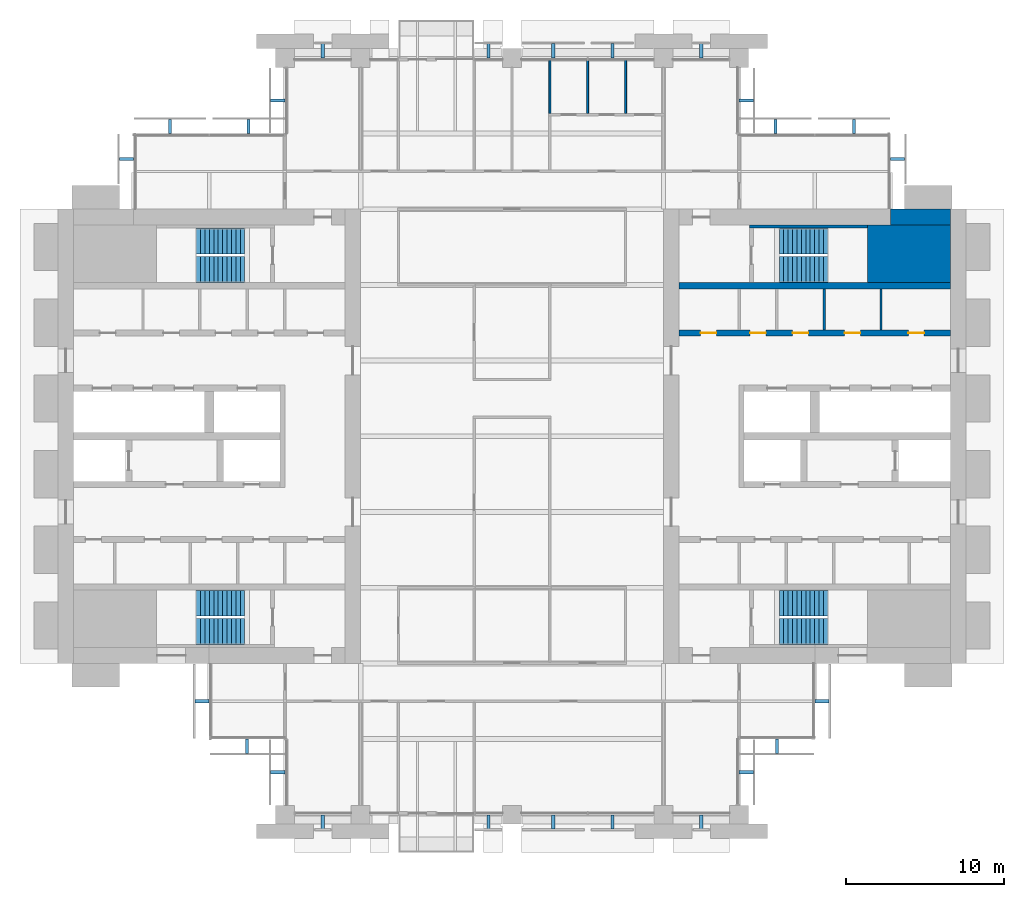
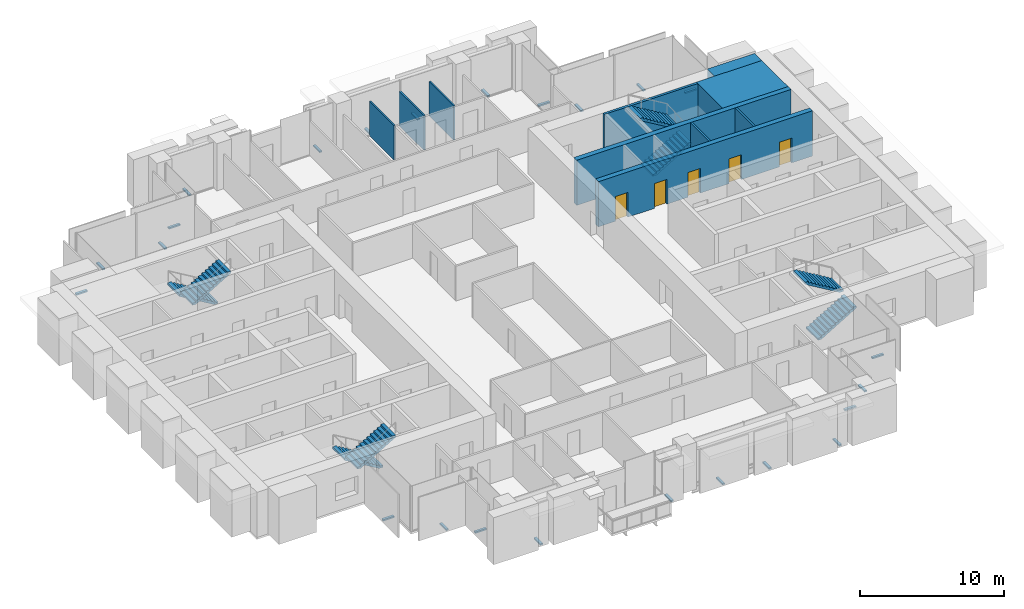
# One storey, part 13 of 15: 24 discrete accessories, 10 walls, 8 stair flights, 5 doors, 5 openings, 4 elements without a shape of their own.
"""IFC4 building model written with IfcOpenShell, lengths in metres."""

from ifc_helpers import new_model, si_unit, direction, frame, frame_2d, origin, origin_2d, place, context, subcontext, project, spatial, polyline, rectangle, outline, extrude, material, layer, layer_set, type_object, element, fill, aggregate, save


model = new_model("IFC4")

# Units and contexts
model_context = context("Model", 3, precision=1e-05, world=origin(), true_north=direction((0.0, 1.0)))
body_context = subcontext(model_context, "Body", "Model", "MODEL_VIEW")
ifc_project = project(units=[si_unit("LENGTHUNIT", "METRE"), si_unit("AREAUNIT", "SQUARE_METRE"), si_unit("VOLUMEUNIT", "CUBIC_METRE"), si_unit("PLANEANGLEUNIT", "RADIAN"), si_unit("MASSUNIT", "GRAM", prefix="KILO")], contexts=[model_context])

# Site, building, storey
site_placement = place(None, origin())
site = spatial("IfcSite", under=ifc_project, at=site_placement, CompositionType="ELEMENT")
building_placement = place(site_placement, origin())
building = spatial("IfcBuilding", under=site, at=building_placement, Name="Baori Bourse Tower", CompositionType="ELEMENT")
storey_placement = place(building_placement, frame((0.0, 0.0, 128.10009765625)))
storey = spatial("IfcBuildingStorey", under=building, at=storey_placement, Name="L27", CompositionType="ELEMENT", Elevation=128.10009765625)

# Walls
ifc_material_1 = material(Name="Concrete f'c 60 MPa", Category="concrete")
wall_type_1 = type_object("IfcWallType", Name="Core corner block f'c 60", PredefinedType="SHEAR", material=ifc_material_1)
wall_1_placement = place(storey_placement, frame((51.35009765625, 35.574951171875, 0.0), z_axis=(0.0, 0.0, 1.0), x_axis=(1.0, 0.0, 0.0)))
element("IfcWall", 1, at=wall_1_placement, inside=storey, type_object=wall_type_1, Name="Core wall E28", PredefinedType="SHEAR", context=body_context, shape_type="SweptSolid", body=[
    extrude(rectangle(XDim=5.25, YDim=3.64990234375, at=frame_2d((2.625, 0.0))), origin(), (0.0, 0.0, 1.0), 3.83984375),
])
ifc_material_2 = material(Name="Blockwork partition", Category="masonry")
ifc_layer_1 = layer(ifc_material_2, 0.14990234375)
ifc_layer_set_1 = layer_set([ifc_layer_1], Name="Core partition 150")
wall_type_2 = type_object("IfcWallType", Name="Core partition 150", PredefinedType="PARTITIONING", material=ifc_layer_set_1)
for number, where, z_axis, x_axis, name in (
    (2, (52.199951171875, 30.75, 0.0), (0.0, 0.0, 1.0), (0.0, 1.0, 0.0), "Partition wall E23"),
    (3, (48.60009765625, 30.75, 0.0), (0.0, 0.0, 1.0), (0.0, 1.0, 0.0), "Partition wall E24"),
):
    element("IfcWall", number, at=place(storey_placement, frame(where, z_axis=z_axis, x_axis=x_axis)), inside=storey, type_object=wall_type_2, Name=name, PredefinedType="PARTITIONING", context=body_context, shape_type="SweptSolid", body=[
        extrude(rectangle(XDim=2.60009765625, YDim=0.14990234375, at=frame_2d((1.300048828125, 0.0))), origin(), (0.0, 0.0, 1.0), 3.83984375),
    ])
ifc_material_3 = material(Name="Concrete f'c 60 MPa", Category="concrete")
ifc_layer_2 = layer(ifc_material_3, 1.0)
ifc_layer_set_2 = layer_set([ifc_layer_2], Name="Core wall 1000 f'c 60")
wall_type_3 = type_object("IfcWallType", Name="Core wall 1000 f'c 60", PredefinedType="SHEAR", material=ifc_layer_set_2)
wall_2_placement = place(storey_placement, frame((52.800048828125, 37.89990234375, 0.0), z_axis=(0.0, 0.0, 1.0), x_axis=(1.0, 0.0, 0.0)))
element("IfcWall", 4, at=wall_2_placement, inside=storey, type_object=wall_type_3, Name="Core wall E31", PredefinedType="SHEAR", context=body_context, shape_type="SweptSolid", body=[
    extrude(rectangle(XDim=3.800048828125, YDim=1.0, at=frame_2d((1.89990234375, 0.0))), origin(), (0.0, 0.0, 1.0), 3.83984375),
])
ifc_material_4 = material(Name="Gypsum board partition")
ifc_layer_3 = layer(ifc_material_4, 0.125)
ifc_layer_set_3 = layer_set([ifc_layer_3], Name="Partition 125")
wall_type_4 = type_object("IfcWallType", Name="Partition 125", PredefinedType="PARTITIONING", material=ifc_layer_set_3)
for number, where, z_axis, x_axis, name in (
    (5, (31.199951171875, 44.47509765625, 0.0), (0.0, 0.0, 1.0), (0.0, 1.0, 0.0), "Partition"),
    (6, (33.60009765625, 44.47509765625, 0.0), (0.0, 0.0, 1.0), (0.0, 1.0, 0.0), "Partition"),
    (7, (36.0, 44.47509765625, 0.0), (0.0, 0.0, 1.0), (0.0, 1.0, 0.0), "Partition"),
):
    element("IfcWall", number, at=place(storey_placement, frame(where, z_axis=z_axis, x_axis=x_axis)), inside=storey, type_object=wall_type_4, Name=name, PredefinedType="PARTITIONING", context=body_context, shape_type="SweptSolid", body=[
        extrude(rectangle(XDim=3.4248046875, YDim=0.125, at=frame_2d((1.71240234375, 0.0))), origin(), (0.0, 0.0, 1.0), 2.935546875),
    ])
ifc_material_5 = material(Name="Concrete f'c 60 MPa", Category="concrete")
ifc_layer_4 = layer(ifc_material_5, 0.199951171875)
ifc_layer_set_4 = layer_set([ifc_layer_4], Name="Shaft wall 200 f'c 60")
wall_type_5 = type_object("IfcWallType", Name="Shaft wall 200 f'c 60", PredefinedType="SHEAR", material=ifc_layer_set_4)
wall_3_placement = place(storey_placement, frame((43.85009765625, 37.300048828125, 0.0), z_axis=(0.0, 0.0, 1.0), x_axis=(1.0, 0.0, 0.0)))
element("IfcWall", 8, at=wall_3_placement, inside=storey, type_object=wall_type_5, Name="Core wall E30", PredefinedType="SHEAR", context=body_context, shape_type="SweptSolid", body=[
    extrude(rectangle(XDim=7.5, YDim=0.199951171875, at=frame_2d((3.75, 0.0))), origin(), (0.0, 0.0, 1.0), 3.83984375),
])

# Wall, openings, doors
ifc_material_6 = material(Name="Concrete f'c 60 MPa", Category="concrete")
ifc_layer_5 = layer(ifc_material_6, 0.39990234375)
ifc_layer_set_5 = layer_set([ifc_layer_5], Name="Shaft wall 400 f'c 60")
wall_type_6 = type_object("IfcWallType", Name="Shaft wall 400 f'c 60", PredefinedType="SHEAR", material=ifc_layer_set_5)
wall_4_placement = place(storey_placement, frame((39.39990234375, 30.550048828125, 0.0), z_axis=(0.0, 0.0, 1.0), x_axis=(1.0, 0.0, 0.0)))
wall_4 = element("IfcWall", 9, at=wall_4_placement, inside=storey, type_object=wall_type_6, Name="Core wall E22", PredefinedType="SHEAR", context=body_context, shape_type="SweptSolid", body=[
    extrude(rectangle(XDim=17.2001953125, YDim=0.39990234375, at=frame_2d((8.60009765625, 0.0))), origin(), (0.0, 0.0, 1.0), 3.83984375),
])
opening_1_placement = place(wall_4_placement, frame((14.53759765625, 0.0, 0.0)))
opening_1 = element("IfcOpeningElement", 10, at=opening_1_placement, cuts=wall_4, Name="Opening L27-D209", PredefinedType="OPENING", context=body_context, shape_type="SweptSolid", body=[
    extrude(rectangle(XDim=1.0, YDim=2.10009765625, at=frame_2d((0.5, 1.050048828125))), frame((0.0, 0.2099609375, 0.0), z_axis=(0.0, -1.0, 0.0), x_axis=(1.0, 0.0, 0.0)), (0.0, 0.0, 1.0), 0.419921875),
])
opening_2_placement = place(wall_4_placement, frame((10.5, 0.0, 0.0)))
opening_2 = element("IfcOpeningElement", 11, at=opening_2_placement, cuts=wall_4, Name="Opening L27-D210", PredefinedType="OPENING", context=body_context, shape_type="SweptSolid", body=[
    extrude(rectangle(XDim=1.0, YDim=2.10009765625, at=frame_2d((0.5, 1.050048828125))), frame((0.0, 0.2099609375, 0.0), z_axis=(0.0, -1.0, 0.0), x_axis=(1.0, 0.0, 0.0)), (0.0, 0.0, 1.0), 0.419921875),
])
opening_3_placement = place(wall_4_placement, frame((7.199951171875, 0.0, 0.0)))
opening_3 = element("IfcOpeningElement", 12, at=opening_3_placement, cuts=wall_4, Name="Opening L27-D211", PredefinedType="OPENING", context=body_context, shape_type="SweptSolid", body=[
    extrude(rectangle(XDim=1.0, YDim=2.10009765625, at=frame_2d((0.5, 1.050048828125))), frame((0.0, 0.2099609375, 0.0), z_axis=(0.0, -1.0, 0.0), x_axis=(1.0, 0.0, 0.0)), (0.0, 0.0, 1.0), 0.419921875),
])
opening_4_placement = place(wall_4_placement, frame((4.5, 0.0, 0.0)))
opening_4 = element("IfcOpeningElement", 13, at=opening_4_placement, cuts=wall_4, Name="Opening L27-D212", PredefinedType="OPENING", context=body_context, shape_type="SweptSolid", body=[
    extrude(rectangle(XDim=1.0, YDim=2.10009765625, at=frame_2d((0.5, 1.050048828125))), frame((0.0, 0.2099609375, 0.0), z_axis=(0.0, -1.0, 0.0), x_axis=(1.0, 0.0, 0.0)), (0.0, 0.0, 1.0), 0.419921875),
])
opening_5_placement = place(wall_4_placement, frame((1.362548828125, 0.0, 0.0)))
opening_5 = element("IfcOpeningElement", 14, at=opening_5_placement, cuts=wall_4, Name="Opening L27-D213", PredefinedType="OPENING", context=body_context, shape_type="SweptSolid", body=[
    extrude(rectangle(XDim=1.0, YDim=2.10009765625, at=frame_2d((0.5, 1.050048828125))), frame((0.0, 0.2099609375, 0.0), z_axis=(0.0, -1.0, 0.0), x_axis=(1.0, 0.0, 0.0)), (0.0, 0.0, 1.0), 0.419921875),
])
ifc_material_7 = material(Name="Painted steel door", Category="steel")
door_type_1 = type_object("IfcDoorType", Name="Core door 1000", OperationType="SINGLE_SWING_LEFT", PredefinedType="DOOR", material=ifc_material_7)
door_1_placement = place(opening_1_placement, origin())
door_1 = element("IfcDoor", 15, at=door_1_placement, inside=storey, type_object=door_type_1, Name="Men'S Wc door E L27", OperationType="SINGLE_SWING_LEFT", OverallHeight=2.10009765625, OverallWidth=1.0, PredefinedType="DOOR", context=body_context, shape_type="SweptSolid", body=[
    extrude(rectangle(XDim=1.0, YDim=2.10009765625, at=frame_2d((0.5, 1.050048828125))), frame((0.0, 0.02490234375, 0.0), z_axis=(0.0, -1.0, 0.0), x_axis=(1.0, 0.0, 0.0)), (0.0, 0.0, 1.0), 0.050048828125),
])
fill(opening_1, door_1)
door_2_placement = place(opening_2_placement, origin())
door_2 = element("IfcDoor", 16, at=door_2_placement, inside=storey, type_object=door_type_1, Name="Women'S Wc door E L27", OperationType="SINGLE_SWING_LEFT", OverallHeight=2.10009765625, OverallWidth=1.0, PredefinedType="DOOR", context=body_context, shape_type="SweptSolid", body=[
    extrude(rectangle(XDim=1.0, YDim=2.10009765625, at=frame_2d((0.5, 1.050048828125))), frame((0.0, 0.02490234375, 0.0), z_axis=(0.0, -1.0, 0.0), x_axis=(1.0, 0.0, 0.0)), (0.0, 0.0, 1.0), 0.050048828125),
])
fill(opening_2, door_2)
door_3_placement = place(opening_5_placement, origin())
door_3 = element("IfcDoor", 17, at=door_3_placement, inside=storey, type_object=door_type_1, Name="Accessible Wc door E L27", OperationType="SINGLE_SWING_LEFT", OverallHeight=2.10009765625, OverallWidth=1.0, PredefinedType="DOOR", context=body_context, shape_type="SweptSolid", body=[
    extrude(rectangle(XDim=1.0, YDim=2.10009765625, at=frame_2d((0.5, 1.050048828125))), frame((0.0, 0.02490234375, 0.0), z_axis=(0.0, -1.0, 0.0), x_axis=(1.0, 0.0, 0.0)), (0.0, 0.0, 1.0), 0.050048828125),
])
fill(opening_5, door_3)
ifc_material_8 = material(Name="Painted steel door", Category="steel")
door_type_2 = type_object("IfcDoorType", Name="Plant room door 1000", OperationType="SINGLE_SWING_LEFT", PredefinedType="DOOR", material=ifc_material_8)
door_4_placement = place(opening_3_placement, origin())
door_4 = element("IfcDoor", 18, at=door_4_placement, inside=storey, type_object=door_type_2, Name="Communications Room door E L27", OperationType="SINGLE_SWING_LEFT", OverallHeight=2.10009765625, OverallWidth=1.0, PredefinedType="DOOR", context=body_context, shape_type="SweptSolid", body=[
    extrude(rectangle(XDim=1.0, YDim=2.10009765625, at=frame_2d((0.5, 1.050048828125))), frame((0.0, 0.02490234375, 0.0), z_axis=(0.0, -1.0, 0.0), x_axis=(1.0, 0.0, 0.0)), (0.0, 0.0, 1.0), 0.050048828125),
])
fill(opening_3, door_4)
door_5_placement = place(opening_4_placement, origin())
door_5 = element("IfcDoor", 19, at=door_5_placement, inside=storey, type_object=door_type_2, Name="Plumbing Equipment Room door E L27", OperationType="SINGLE_SWING_LEFT", OverallHeight=2.10009765625, OverallWidth=1.0, PredefinedType="DOOR", context=body_context, shape_type="SweptSolid", body=[
    extrude(rectangle(XDim=1.0, YDim=2.10009765625, at=frame_2d((0.5, 1.050048828125))), frame((0.0, 0.02490234375, 0.0), z_axis=(0.0, -1.0, 0.0), x_axis=(1.0, 0.0, 0.0)), (0.0, 0.0, 1.0), 0.050048828125),
])
fill(opening_4, door_5)

# Wall
wall_5_placement = place(storey_placement, frame((39.39990234375, 33.550048828125, 0.0), z_axis=(0.0, 0.0, 1.0), x_axis=(1.0, 0.0, 0.0)))
element("IfcWall", 20, at=wall_5_placement, inside=storey, type_object=wall_type_6, Name="Core wall E27", PredefinedType="SHEAR", context=body_context, shape_type="SweptSolid", body=[
    extrude(rectangle(XDim=17.2001953125, YDim=0.39990234375, at=frame_2d((8.60009765625, 0.0))), origin(), (0.0, 0.0, 1.0), 3.83984375),
])

# Stair, stair flights
ifc_material_9 = material(Name="Concrete f'c 50 MPa", Category="concrete")
stair_type = type_object("IfcStairType", Name="Core stair", PredefinedType="HALF_TURN_STAIR", material=ifc_material_9)
stair_1_placement = place(storey_placement, origin())
stair_1 = element("IfcStair", 21, at=stair_1_placement, inside=storey, type_object=stair_type, Name="L27 Stair WA", PredefinedType="HALF_TURN_STAIR")
ifc_material_10 = material(Name="Concrete f'c 50 MPa", Category="concrete")
stair_flight_type = type_object("IfcStairFlightType", Name="Core stair flight", PredefinedType="STRAIGHT", material=ifc_material_10)
stair_flight_1_placement = place(storey_placement, frame((11.85009765625, 13.425048828125, 0.0), z_axis=(0.0, 0.0, 1.0), x_axis=(-1.0, 0.0, 0.0)))
stair_flight_1 = element("IfcStairFlight", 22, at=stair_flight_1_placement, type_object=stair_flight_type, Name="ST1 flight 1", NumberOfRisers=12, NumberOfTreads=11, PredefinedType="STRAIGHT", RiserHeight=0.166666667, TreadLength=0.28, context=body_context, shape_type="SweptSolid", body=[
    extrude(outline(polyline([(0.0, 0.0), (0.0, 0.166748046875), (0.280029296875, 0.166748046875), (0.280029296875, 0.333251953125), (0.56005859375, 0.333251953125), (0.56005859375, 0.5), (0.840087890625, 0.5), (0.840087890625, 0.666748046875), (1.1201171875, 0.666748046875), (1.1201171875, 0.833251953125), (1.39990234375, 0.833251953125), (1.39990234375, 1.0), (1.679931640625, 1.0), (1.679931640625, 1.166748046875), (1.9599609375, 1.166748046875), (1.9599609375, 1.333251953125), (2.239990234375, 1.333251953125), (2.239990234375, 1.5), (2.52001953125, 1.5), (2.52001953125, 1.666748046875), (2.800048828125, 1.666748046875), (2.800048828125, 1.833251953125), (3.080078125, 1.833251953125), (3.080078125, 2.0), (3.080078125, 1.658935546875), (0.29296875, 0.0), (0.0, 0.0)])), frame((0.0, 0.824951171875, 0.0), z_axis=(0.0, -1.0, 0.0), x_axis=(1.0, 0.0, 0.0)), (0.0, 0.0, 1.0), 1.64990234375),
])
stair_flight_2_placement = place(storey_placement, frame((8.77001953125, 11.625, 2.0), z_axis=(0.0, 0.0, 1.0), x_axis=(1.0, 0.0, 0.0)))
stair_flight_2 = element("IfcStairFlight", 23, at=stair_flight_2_placement, type_object=stair_flight_type, Name="ST1 flight 2", NumberOfRisers=12, NumberOfTreads=11, PredefinedType="STRAIGHT", RiserHeight=0.166666667, TreadLength=0.28, context=body_context, shape_type="SweptSolid", body=[
    extrude(outline(polyline([(0.0, 0.0), (0.0, 0.166748046875), (0.280029296875, 0.166748046875), (0.280029296875, 0.333251953125), (0.56005859375, 0.333251953125), (0.56005859375, 0.5), (0.840087890625, 0.5), (0.840087890625, 0.666748046875), (1.1201171875, 0.666748046875), (1.1201171875, 0.833251953125), (1.39990234375, 0.833251953125), (1.39990234375, 1.0), (1.679931640625, 1.0), (1.679931640625, 1.166748046875), (1.9599609375, 1.166748046875), (1.9599609375, 1.333251953125), (2.239990234375, 1.333251953125), (2.239990234375, 1.5), (2.52001953125, 1.5), (2.52001953125, 1.666748046875), (2.800048828125, 1.666748046875), (2.800048828125, 1.833251953125), (3.080078125, 1.833251953125), (3.080078125, 2.0), (3.080078125, 1.658935546875), (0.29296875, 0.0), (0.0, 0.0)])), frame((0.0, 0.824951171875, 0.0), z_axis=(0.0, -1.0, 0.0), x_axis=(1.0, 0.0, 0.0)), (0.0, 0.0, 1.0), 1.64990234375),
])
aggregate(stair_1, [stair_flight_1, stair_flight_2])

stair_2_placement = place(storey_placement, origin())
stair_2 = element("IfcStair", 24, at=stair_2_placement, inside=storey, type_object=stair_type, Name="L27 Stair WB", PredefinedType="HALF_TURN_STAIR")
stair_flight_3_placement = place(storey_placement, frame((11.85009765625, 36.375, 0.0), z_axis=(0.0, 0.0, 1.0), x_axis=(-1.0, 0.0, 0.0)))
stair_flight_3 = element("IfcStairFlight", 25, at=stair_flight_3_placement, type_object=stair_flight_type, Name="ST2 flight 1", NumberOfRisers=12, NumberOfTreads=11, PredefinedType="STRAIGHT", RiserHeight=0.166666667, TreadLength=0.28, context=body_context, shape_type="SweptSolid", body=[
    extrude(outline(polyline([(0.0, 0.0), (0.0, 0.166748046875), (0.280029296875, 0.166748046875), (0.280029296875, 0.333251953125), (0.56005859375, 0.333251953125), (0.56005859375, 0.5), (0.840087890625, 0.5), (0.840087890625, 0.666748046875), (1.1201171875, 0.666748046875), (1.1201171875, 0.833251953125), (1.39990234375, 0.833251953125), (1.39990234375, 1.0), (1.679931640625, 1.0), (1.679931640625, 1.166748046875), (1.9599609375, 1.166748046875), (1.9599609375, 1.333251953125), (2.239990234375, 1.333251953125), (2.239990234375, 1.5), (2.52001953125, 1.5), (2.52001953125, 1.666748046875), (2.800048828125, 1.666748046875), (2.800048828125, 1.833251953125), (3.080078125, 1.833251953125), (3.080078125, 2.0), (3.080078125, 1.658935546875), (0.29296875, 0.0), (0.0, 0.0)])), frame((0.0, 0.824951171875, 0.0), z_axis=(0.0, -1.0, 0.0), x_axis=(1.0, 0.0, 0.0)), (0.0, 0.0, 1.0), 1.64990234375),
])
stair_flight_4_placement = place(storey_placement, frame((8.77001953125, 34.574951171875, 2.0), z_axis=(0.0, 0.0, 1.0), x_axis=(1.0, 0.0, 0.0)))
stair_flight_4 = element("IfcStairFlight", 26, at=stair_flight_4_placement, type_object=stair_flight_type, Name="ST2 flight 2", NumberOfRisers=12, NumberOfTreads=11, PredefinedType="STRAIGHT", RiserHeight=0.166666667, TreadLength=0.28, context=body_context, shape_type="SweptSolid", body=[
    extrude(outline(polyline([(0.0, 0.0), (0.0, 0.166748046875), (0.280029296875, 0.166748046875), (0.280029296875, 0.333251953125), (0.56005859375, 0.333251953125), (0.56005859375, 0.5), (0.840087890625, 0.5), (0.840087890625, 0.666748046875), (1.1201171875, 0.666748046875), (1.1201171875, 0.833251953125), (1.39990234375, 0.833251953125), (1.39990234375, 1.0), (1.679931640625, 1.0), (1.679931640625, 1.166748046875), (1.9599609375, 1.166748046875), (1.9599609375, 1.333251953125), (2.239990234375, 1.333251953125), (2.239990234375, 1.5), (2.52001953125, 1.5), (2.52001953125, 1.666748046875), (2.800048828125, 1.666748046875), (2.800048828125, 1.833251953125), (3.080078125, 1.833251953125), (3.080078125, 2.0), (3.080078125, 1.658935546875), (0.29296875, 0.0), (0.0, 0.0)])), frame((0.0, 0.824951171875, 0.0), z_axis=(0.0, -1.0, 0.0), x_axis=(1.0, 0.0, 0.0)), (0.0, 0.0, 1.0), 1.64990234375),
])
aggregate(stair_2, [stair_flight_3, stair_flight_4])

stair_3_placement = place(storey_placement, origin())
stair_3 = element("IfcStair", 27, at=stair_3_placement, inside=storey, type_object=stair_type, Name="L27 Stair EA", PredefinedType="HALF_TURN_STAIR")
stair_flight_5_placement = place(storey_placement, frame((45.75, 11.625, 0.0), z_axis=(0.0, 0.0, 1.0), x_axis=(1.0, 0.0, 0.0)))
stair_flight_5 = element("IfcStairFlight", 28, at=stair_flight_5_placement, type_object=stair_flight_type, Name="ST3 flight 1", NumberOfRisers=12, NumberOfTreads=11, PredefinedType="STRAIGHT", RiserHeight=0.166666667, TreadLength=0.28, context=body_context, shape_type="SweptSolid", body=[
    extrude(outline(polyline([(0.0, 0.0), (0.0, 0.166748046875), (0.280029296875, 0.166748046875), (0.280029296875, 0.333251953125), (0.56005859375, 0.333251953125), (0.56005859375, 0.5), (0.840087890625, 0.5), (0.840087890625, 0.666748046875), (1.1201171875, 0.666748046875), (1.1201171875, 0.833251953125), (1.39990234375, 0.833251953125), (1.39990234375, 1.0), (1.679931640625, 1.0), (1.679931640625, 1.166748046875), (1.9599609375, 1.166748046875), (1.9599609375, 1.333251953125), (2.239990234375, 1.333251953125), (2.239990234375, 1.5), (2.52001953125, 1.5), (2.52001953125, 1.666748046875), (2.800048828125, 1.666748046875), (2.800048828125, 1.833251953125), (3.080078125, 1.833251953125), (3.080078125, 2.0), (3.080078125, 1.658935546875), (0.29296875, 0.0), (0.0, 0.0)])), frame((0.0, 0.824951171875, 0.0), z_axis=(0.0, -1.0, 0.0), x_axis=(1.0, 0.0, 0.0)), (0.0, 0.0, 1.0), 1.64990234375),
])
stair_flight_6_placement = place(storey_placement, frame((48.830078125, 13.425048828125, 2.0), z_axis=(0.0, 0.0, 1.0), x_axis=(-1.0, 0.0, 0.0)))
stair_flight_6 = element("IfcStairFlight", 29, at=stair_flight_6_placement, type_object=stair_flight_type, Name="ST3 flight 2", NumberOfRisers=12, NumberOfTreads=11, PredefinedType="STRAIGHT", RiserHeight=0.166666667, TreadLength=0.28, context=body_context, shape_type="SweptSolid", body=[
    extrude(outline(polyline([(0.0, 0.0), (0.0, 0.166748046875), (0.280029296875, 0.166748046875), (0.280029296875, 0.333251953125), (0.56005859375, 0.333251953125), (0.56005859375, 0.5), (0.840087890625, 0.5), (0.840087890625, 0.666748046875), (1.1201171875, 0.666748046875), (1.1201171875, 0.833251953125), (1.39990234375, 0.833251953125), (1.39990234375, 1.0), (1.679931640625, 1.0), (1.679931640625, 1.166748046875), (1.9599609375, 1.166748046875), (1.9599609375, 1.333251953125), (2.239990234375, 1.333251953125), (2.239990234375, 1.5), (2.52001953125, 1.5), (2.52001953125, 1.666748046875), (2.800048828125, 1.666748046875), (2.800048828125, 1.833251953125), (3.080078125, 1.833251953125), (3.080078125, 2.0), (3.080078125, 1.658935546875), (0.29296875, 0.0), (0.0, 0.0)])), frame((0.0, 0.824951171875, 0.0), z_axis=(0.0, -1.0, 0.0), x_axis=(1.0, 0.0, 0.0)), (0.0, 0.0, 1.0), 1.64990234375),
])
aggregate(stair_3, [stair_flight_5, stair_flight_6])

stair_4_placement = place(storey_placement, origin())
stair_4 = element("IfcStair", 30, at=stair_4_placement, inside=storey, type_object=stair_type, Name="L27 Stair EB", PredefinedType="HALF_TURN_STAIR")
stair_flight_7_placement = place(storey_placement, frame((45.75, 34.574951171875, 0.0), z_axis=(0.0, 0.0, 1.0), x_axis=(1.0, 0.0, 0.0)))
stair_flight_7 = element("IfcStairFlight", 31, at=stair_flight_7_placement, type_object=stair_flight_type, Name="ST4 flight 1", NumberOfRisers=12, NumberOfTreads=11, PredefinedType="STRAIGHT", RiserHeight=0.166666667, TreadLength=0.28, context=body_context, shape_type="SweptSolid", body=[
    extrude(outline(polyline([(0.0, 0.0), (0.0, 0.166748046875), (0.280029296875, 0.166748046875), (0.280029296875, 0.333251953125), (0.56005859375, 0.333251953125), (0.56005859375, 0.5), (0.840087890625, 0.5), (0.840087890625, 0.666748046875), (1.1201171875, 0.666748046875), (1.1201171875, 0.833251953125), (1.39990234375, 0.833251953125), (1.39990234375, 1.0), (1.679931640625, 1.0), (1.679931640625, 1.166748046875), (1.9599609375, 1.166748046875), (1.9599609375, 1.333251953125), (2.239990234375, 1.333251953125), (2.239990234375, 1.5), (2.52001953125, 1.5), (2.52001953125, 1.666748046875), (2.800048828125, 1.666748046875), (2.800048828125, 1.833251953125), (3.080078125, 1.833251953125), (3.080078125, 2.0), (3.080078125, 1.658935546875), (0.29296875, 0.0), (0.0, 0.0)])), frame((0.0, 0.824951171875, 0.0), z_axis=(0.0, -1.0, 0.0), x_axis=(1.0, 0.0, 0.0)), (0.0, 0.0, 1.0), 1.64990234375),
])
stair_flight_8_placement = place(storey_placement, frame((48.830078125, 36.375, 2.0), z_axis=(0.0, 0.0, 1.0), x_axis=(-1.0, 0.0, 0.0)))
stair_flight_8 = element("IfcStairFlight", 32, at=stair_flight_8_placement, type_object=stair_flight_type, Name="ST4 flight 2", NumberOfRisers=12, NumberOfTreads=11, PredefinedType="STRAIGHT", RiserHeight=0.166666667, TreadLength=0.28, context=body_context, shape_type="SweptSolid", body=[
    extrude(outline(polyline([(0.0, 0.0), (0.0, 0.166748046875), (0.280029296875, 0.166748046875), (0.280029296875, 0.333251953125), (0.56005859375, 0.333251953125), (0.56005859375, 0.5), (0.840087890625, 0.5), (0.840087890625, 0.666748046875), (1.1201171875, 0.666748046875), (1.1201171875, 0.833251953125), (1.39990234375, 0.833251953125), (1.39990234375, 1.0), (1.679931640625, 1.0), (1.679931640625, 1.166748046875), (1.9599609375, 1.166748046875), (1.9599609375, 1.333251953125), (2.239990234375, 1.333251953125), (2.239990234375, 1.5), (2.52001953125, 1.5), (2.52001953125, 1.666748046875), (2.800048828125, 1.666748046875), (2.800048828125, 1.833251953125), (3.080078125, 1.833251953125), (3.080078125, 2.0), (3.080078125, 1.658935546875), (0.29296875, 0.0), (0.0, 0.0)])), frame((0.0, 0.824951171875, 0.0), z_axis=(0.0, -1.0, 0.0), x_axis=(1.0, 0.0, 0.0)), (0.0, 0.0, 1.0), 1.64990234375),
])
aggregate(stair_4, [stair_flight_7, stair_flight_8])

# Discrete accessories
ifc_material_11 = material(Name="Pale anodised aluminium", Category="aluminium")
discrete_accessory_type = type_object("IfcDiscreteAccessoryType", Name="OS2 Outer skin bracket", PredefinedType="BRACKET", material=ifc_material_11)
for number, where, z_axis, x_axis, name in (
    (33, (53.25, 41.574951171875, -0.14404296875), (0.0, 0.0, 1.0), (0.0, 1.0, 0.0), "Outer skin bracket L27 1"),
    (34, (50.487548828125, 43.64990234375, -0.14404296875), (0.0, 0.0, 1.0), (-1.0, 0.0, 0.0), "Outer skin bracket L27 2"),
    (35, (45.512451171875, 43.64990234375, -0.14404296875), (0.0, 0.0, 1.0), (-1.0, 0.0, 0.0), "Outer skin bracket L27 3"),
    (36, (43.64990234375, 45.300048828125, -0.14404296875), (0.0, 0.0, 1.0), (0.0, 1.0, 0.0), "Outer skin bracket L27 4"),
    (37, (40.800048828125, 48.449951171875, -0.14404296875), (0.0, 0.0, 1.0), (-1.0, 0.0, 0.0), "Outer skin bracket L27 5"),
    (38, (35.16259765625, 48.449951171875, -0.14404296875), (0.0, 0.0, 1.0), (-1.0, 0.0, 0.0), "Outer skin bracket L27 6"),
    (39, (31.41259765625, 48.449951171875, -0.14404296875), (0.0, 0.0, 1.0), (-1.0, 0.0, 0.0), "Outer skin bracket L27 7"),
    (40, (27.300048828125, 48.449951171875, -0.14404296875), (0.0, 0.0, 1.0), (-1.0, 0.0, 0.0), "Outer skin bracket L27 8"),
    (41, (16.800048828125, 48.449951171875, -0.14404296875), (0.0, 0.0, 1.0), (-1.0, 0.0, 0.0), "Outer skin bracket L27 9"),
    (42, (13.949951171875, 45.300048828125, -0.14404296875), (0.0, 0.0, 1.0), (0.0, -1.0, 0.0), "Outer skin bracket L27 10"),
    (43, (12.08740234375, 43.64990234375, -0.14404296875), (0.0, 0.0, 1.0), (-1.0, 0.0, 0.0), "Outer skin bracket L27 11"),
    (44, (7.112548828125, 43.64990234375, -0.14404296875), (0.0, 0.0, 1.0), (-1.0, 0.0, 0.0), "Outer skin bracket L27 12"),
    (45, (4.35009765625, 41.574951171875, -0.14404296875), (0.0, 0.0, 1.0), (0.0, -1.0, 0.0), "Outer skin bracket L27 13"),
    (46, (9.14990234375, 7.199951171875, -0.14404296875), (0.0, 0.0, 1.0), (0.0, -1.0, 0.0), "Outer skin bracket L27 14"),
    (47, (12.0, 4.35009765625, -0.14404296875), (0.0, 0.0, 1.0), (1.0, 0.0, 0.0), "Outer skin bracket L27 15"),
    (48, (13.949951171875, 2.699951171875, -0.14404296875), (0.0, 0.0, 1.0), (0.0, -1.0, 0.0), "Outer skin bracket L27 16"),
    (49, (16.800048828125, -0.449951171875, -0.14404296875), (0.0, 0.0, 1.0), (1.0, 0.0, 0.0), "Outer skin bracket L27 17"),
    (50, (27.300048828125, -0.449951171875, -0.14404296875), (0.0, 0.0, 1.0), (1.0, 0.0, 0.0), "Outer skin bracket L27 18"),
    (51, (31.41259765625, -0.449951171875, -0.14404296875), (0.0, 0.0, 1.0), (1.0, 0.0, 0.0), "Outer skin bracket L27 19"),
    (52, (35.16259765625, -0.449951171875, -0.14404296875), (0.0, 0.0, 1.0), (1.0, 0.0, 0.0), "Outer skin bracket L27 20"),
    (53, (40.800048828125, -0.449951171875, -0.14404296875), (0.0, 0.0, 1.0), (1.0, 0.0, 0.0), "Outer skin bracket L27 21"),
    (54, (43.64990234375, 2.699951171875, -0.14404296875), (0.0, 0.0, 1.0), (0.0, 1.0, 0.0), "Outer skin bracket L27 22"),
    (55, (45.60009765625, 4.35009765625, -0.14404296875), (0.0, 0.0, 1.0), (1.0, 0.0, 0.0), "Outer skin bracket L27 23"),
    (56, (48.449951171875, 7.199951171875, -0.14404296875), (0.0, 0.0, 1.0), (0.0, 1.0, 0.0), "Outer skin bracket L27 24"),
):
    element("IfcDiscreteAccessory", number, at=place(storey_placement, frame(where, z_axis=z_axis, x_axis=x_axis)), inside=storey, type_object=discrete_accessory_type, Name=name, PredefinedType="BRACKET", context=body_context, shape_type="SweptSolid", body=[
        extrude(rectangle(XDim=0.199951171875, YDim=0.89990234375, at=origin_2d()), origin(), (0.0, 0.0, 1.0), 0.1279296875),
    ])

save(model, "model.ifc")
